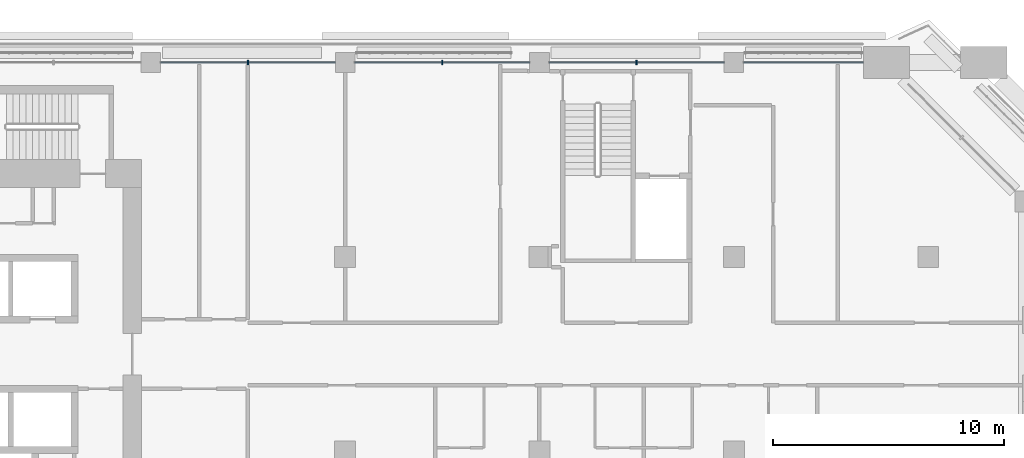
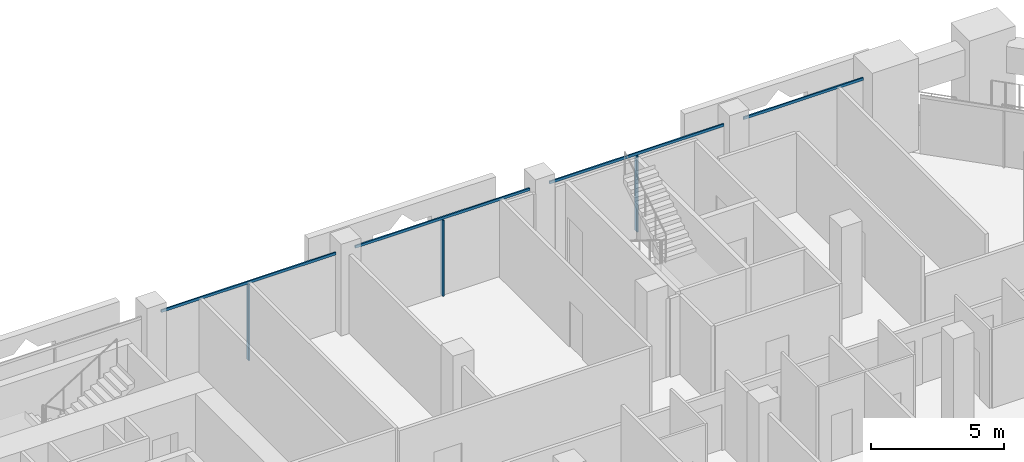
# One storey, part 6 of 21: 7 members, 1 element without a shape of its own.
"""IFC4 building model written with IfcOpenShell, lengths in metres."""

from ifc_helpers import new_model, si_unit, direction, frame, origin, origin_2d, place, context, subcontext, project, spatial, rectangle, extrude, material, layer, layer_set, material_profile, profile_set, type_object, element, aggregate, save


model = new_model("IFC4")

# Units and contexts
model_context = context("Model", 3, precision=1e-05, world=origin(), true_north=direction((0.0, 1.0)))
body_context = subcontext(model_context, "Body", "Model", "MODEL_VIEW")
ifc_project = project(units=[si_unit("LENGTHUNIT", "METRE"), si_unit("AREAUNIT", "SQUARE_METRE"), si_unit("VOLUMEUNIT", "CUBIC_METRE"), si_unit("PLANEANGLEUNIT", "RADIAN"), si_unit("MASSUNIT", "GRAM", prefix="KILO")], contexts=[model_context])

# Site, building, storey
site_placement = place(None, origin())
site = spatial("IfcSite", under=ifc_project, at=site_placement, CompositionType="ELEMENT")
building_placement = place(site_placement, origin())
building = spatial("IfcBuilding", under=site, at=building_placement, Name="Kawkab Arch Medical Tower", CompositionType="ELEMENT")
storey_placement = place(building_placement, frame((0.0, 0.0, 234.800048828125)))
storey = spatial("IfcBuildingStorey", under=building, at=storey_placement, Name="L54", CompositionType="ELEMENT", Elevation=234.800048828125)

# Curtain wall, members
ifc_material_1 = material(Name="Bronze anodised aluminium curtain wall frame", Category="aluminium")
ifc_layer = layer(ifc_material_1, 0.159912109375)
ifc_layer_set = layer_set([ifc_layer], Name="Bronze anodised aluminium curtain wall frame")
curtain_wall_type = type_object("IfcCurtainWallType", Name="CW1 ward curtain wall", PredefinedType="NOTDEFINED", material=ifc_layer_set)
curtain_wall_placement = place(storey_placement, origin())
curtain_wall = element("IfcCurtainWall", 1, at=curtain_wall_placement, inside=storey, type_object=curtain_wall_type, Name="CW1 Ward curtain wall R11", PredefinedType="NOTDEFINED")
ifc_material_2 = material(Name="Bronze anodised aluminium curtain wall frame", Category="aluminium")
ifc_material_profile_1 = material_profile(ifc_material_2, rectangle(XDim=0.179931640625, YDim=0.06005859375, at=origin_2d()), Name="AL 60x180")
ifc_profile_set_1 = profile_set([ifc_material_profile_1], Name="Bronze anodised aluminium curtain wall frame")
member_type_1 = type_object("IfcMemberType", Name="CW1 mullion 60 x 180", PredefinedType="MULLION", material=ifc_profile_set_1)
member_1_placement = place(storey_placement, frame((46.199951171875, 0.0, 0.0), z_axis=(0.0, 0.0, 1.0), x_axis=(0.0, -1.0, 0.0)))
member_1 = element("IfcMember", 2, at=member_1_placement, type_object=member_type_1, Name="CW1 mullion 2.1", PredefinedType="MULLION", context=body_context, shape_type="SweptSolid", body=[
    extrude(rectangle(XDim=0.179931640625, YDim=0.06005859375, at=origin_2d()), origin(), (0.0, 0.0, 1.0), 3.47998046875),
])
member_2_placement = place(storey_placement, frame((37.800048828125, 0.0, 0.0), z_axis=(0.0, 0.0, 1.0), x_axis=(0.0, -1.0, 0.0)))
member_2 = element("IfcMember", 3, at=member_2_placement, type_object=member_type_1, Name="CW1 mullion 3.1", PredefinedType="MULLION", context=body_context, shape_type="SweptSolid", body=[
    extrude(rectangle(XDim=0.179931640625, YDim=0.06005859375, at=origin_2d()), origin(), (0.0, 0.0, 1.0), 3.47998046875),
])
member_3_placement = place(storey_placement, frame((29.39990234375, 0.0, 0.0), z_axis=(0.0, 0.0, 1.0), x_axis=(0.0, -1.0, 0.0)))
member_3 = element("IfcMember", 4, at=member_3_placement, type_object=member_type_1, Name="CW1 mullion 4.1", PredefinedType="MULLION", context=body_context, shape_type="SweptSolid", body=[
    extrude(rectangle(XDim=0.179931640625, YDim=0.06005859375, at=origin_2d()), origin(), (0.0, 0.0, 1.0), 3.47998046875),
])
ifc_material_3 = material(Name="Bronze anodised aluminium curtain wall frame", Category="aluminium")
ifc_material_profile_2 = material_profile(ifc_material_3, rectangle(XDim=0.06005859375, YDim=0.1201171875, at=origin_2d()), Name="AL 60x120")
ifc_profile_set_2 = profile_set([ifc_material_profile_2], Name="Bronze anodised aluminium curtain wall frame")
member_type_2 = type_object("IfcMemberType", Name="CW1 transom 120 x 60", PredefinedType="USERDEFINED", material=ifc_profile_set_2)
member_4_placement = place(storey_placement, frame((56.0, 0.0, 3.5400390625), z_axis=(-1.0, 0.0, 0.0), x_axis=(0.0, -1.0, 0.0)))
member_4 = element("IfcMember", 5, at=member_4_placement, type_object=member_type_2, Name="CW1 transom 1", ObjectType="TRANSOM", PredefinedType="USERDEFINED", context=body_context, shape_type="SweptSolid", body=[
    extrude(rectangle(XDim=0.06005859375, YDim=0.1201171875, at=origin_2d()), origin(), (0.0, 0.0, 1.0), 5.175048828125),
])
member_5_placement = place(storey_placement, frame((49.97509765625, 0.0, 3.5400390625), z_axis=(-1.0, 0.0, 0.0), x_axis=(0.0, -1.0, 0.0)))
member_5 = element("IfcMember", 6, at=member_5_placement, type_object=member_type_2, Name="CW1 transom 2", ObjectType="TRANSOM", PredefinedType="USERDEFINED", context=body_context, shape_type="SweptSolid", body=[
    extrude(rectangle(XDim=0.06005859375, YDim=0.1201171875, at=origin_2d()), origin(), (0.0, 0.0, 1.0), 7.550048828125),
])
member_6_placement = place(storey_placement, frame((41.574951171875, 0.0, 3.5400390625), z_axis=(-1.0, 0.0, 0.0), x_axis=(0.0, -1.0, 0.0)))
member_6 = element("IfcMember", 7, at=member_6_placement, type_object=member_type_2, Name="CW1 transom 3", ObjectType="TRANSOM", PredefinedType="USERDEFINED", context=body_context, shape_type="SweptSolid", body=[
    extrude(rectangle(XDim=0.06005859375, YDim=0.1201171875, at=origin_2d()), origin(), (0.0, 0.0, 1.0), 7.550048828125),
])
member_7_placement = place(storey_placement, frame((33.175048828125, 0.0, 3.5400390625), z_axis=(-1.0, 0.0, 0.0), x_axis=(0.0, -1.0, 0.0)))
member_7 = element("IfcMember", 8, at=member_7_placement, type_object=member_type_2, Name="CW1 transom 4", ObjectType="TRANSOM", PredefinedType="USERDEFINED", context=body_context, shape_type="SweptSolid", body=[
    extrude(rectangle(XDim=0.06005859375, YDim=0.1201171875, at=origin_2d()), origin(), (0.0, 0.0, 1.0), 7.550048828125),
])
aggregate(curtain_wall, [member_4, member_5, member_1, member_6, member_2, member_7, member_3])

save(model, "model.ifc")
